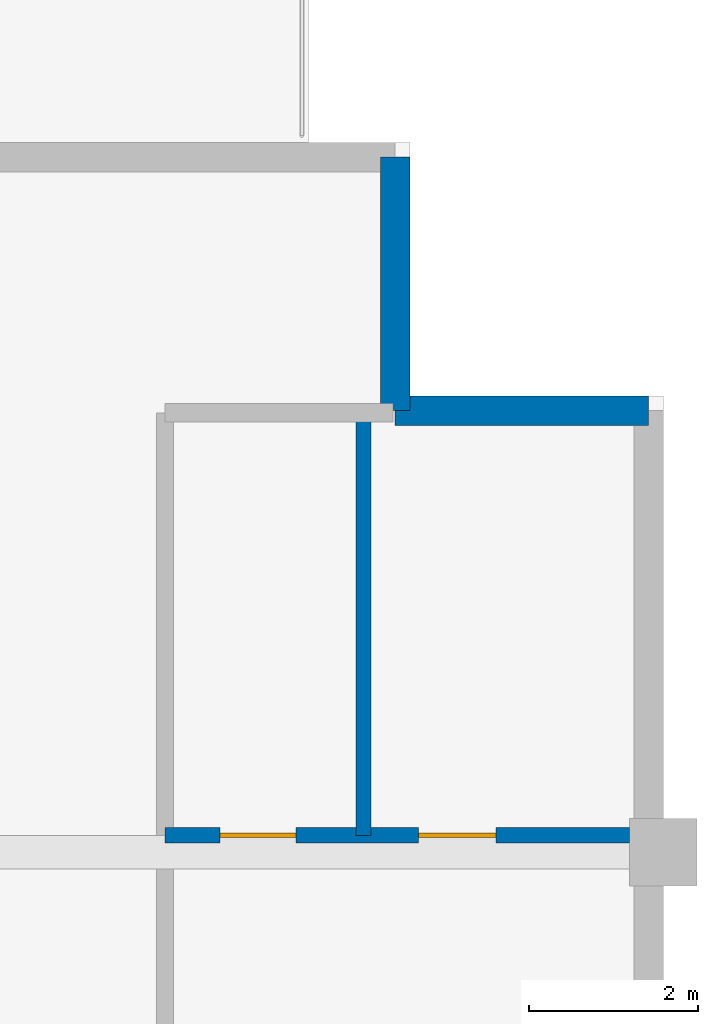
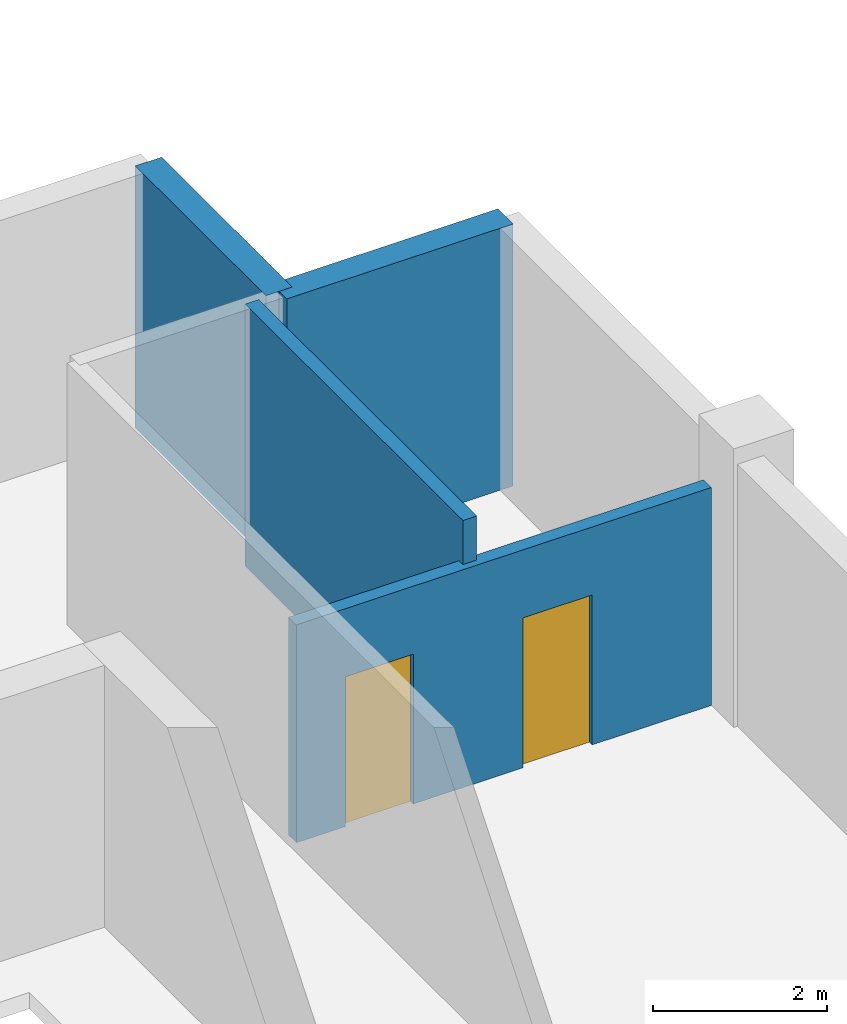
# One storey, part 5 of 11: 4 walls, 2 doors, 2 openings.
"""IFC4 building model written with IfcOpenShell, lengths in metres."""

from ifc_helpers import new_model, si_unit, direction, frame, frame_2d, origin, place, context, subcontext, project, spatial, rectangle, extrude, material, layer, layer_set, type_object, element, fill, save


model = new_model("IFC4")

# Units and contexts
model_context = context("Model", 3, precision=1e-05, world=origin(), true_north=direction((0.0, 1.0)))
body_context = subcontext(model_context, "Body", "Model", "MODEL_VIEW")
ifc_project = project(units=[si_unit("LENGTHUNIT", "METRE"), si_unit("AREAUNIT", "SQUARE_METRE"), si_unit("VOLUMEUNIT", "CUBIC_METRE"), si_unit("PLANEANGLEUNIT", "RADIAN"), si_unit("MASSUNIT", "GRAM", prefix="KILO")], contexts=[model_context])

# Site, building, storey
site_placement = place(None, origin())
site = spatial("IfcSite", under=ifc_project, at=site_placement, CompositionType="ELEMENT")
building_placement = place(site_placement, origin())
building = spatial("IfcBuilding", under=site, at=building_placement, Name="Koriwani Terraces Tower", CompositionType="ELEMENT")
storey_placement = place(building_placement, frame((0.0, 0.0, 343.699951171875)))
storey = spatial("IfcBuildingStorey", under=building, at=storey_placement, Name="L85", CompositionType="ELEMENT", Elevation=343.699951171875)

# Walls
ifc_material_1 = material(Name="Concrete C50/60", Category="concrete")
ifc_layer_1 = layer(ifc_material_1, 0.35009765625, Name="Concrete C50/60")
ifc_layer_set_1 = layer_set([ifc_layer_1], Name="Concrete C50/60")
wall_type_1 = type_object("IfcWallType", Name="WALL_EXT_BRUTALIST_350", PredefinedType="STANDARD", material=ifc_layer_set_1)
for number, where, z_axis, x_axis, name in (
    (1, (64.02490234375, 33.425048828125, 0.0), (0.0, 0.0, 1.0), (0.0, -1.0, 0.0), "L85 Fair-Faced Brutalist Exterior Wall (N10)"),
    (2, (64.02490234375, 30.425048828125, 0.0), (0.0, 0.0, 1.0), (1.0, 0.0, 0.0), "L85 Fair-Faced Brutalist Exterior Wall (N11)"),
):
    element("IfcWall", number, at=place(storey_placement, frame(where, z_axis=z_axis, x_axis=x_axis)), inside=storey, type_object=wall_type_1, Name=name, PredefinedType="STANDARD", context=body_context, shape_type="SweptSolid", body=[
        extrude(rectangle(XDim=3.0, YDim=0.35009765625, at=frame_2d((1.5, 0.0))), origin(), (0.0, 0.0, 1.0), 3.670166015625),
    ])

# Wall, openings, doors
ifc_material_2 = material(Name="Fire-Rated Acoustic Gypsum Partition", Category="masonry")
ifc_layer_2 = layer(ifc_material_2, 0.179931640625, Name="Fire-Rated Acoustic Gypsum Partition")
ifc_layer_set_2 = layer_set([ifc_layer_2], Name="Fire-Rated Acoustic Gypsum Partition")
wall_type_2 = type_object("IfcWallType", Name="WALL_PLUMBING_180", PredefinedType="PLUMBINGWALL", material=ifc_layer_set_2)
wall_1_placement = place(storey_placement, frame((61.300048828125, 25.39990234375, 0.0), z_axis=(0.0, 0.0, 1.0), x_axis=(1.0, 0.0, 0.0)))
wall_1 = element("IfcWall", 3, at=wall_1_placement, inside=storey, type_object=wall_type_2, Name="L85 Interior Wall WET-SVB-L85", PredefinedType="PLUMBINGWALL", context=body_context, shape_type="SweptSolid", body=[
    extrude(rectangle(XDim=5.5, YDim=0.179931640625, at=frame_2d((2.75, 0.0))), origin(), (0.0, 0.0, 1.0), 3.052978515625),
])
opening_1_placement = place(wall_1_placement, frame((0.64990234375, 0.0, 0.0)))
opening_1 = element("IfcOpeningElement", 4, at=opening_1_placement, cuts=wall_1, Name="Opening D-07", PredefinedType="OPENING", context=body_context, shape_type="SweptSolid", body=[
    extrude(rectangle(XDim=0.89990234375, YDim=2.10009765625, at=frame_2d((0.449951171875, 1.050048828125))), frame((0.0, 0.10009765625, 0.0), z_axis=(0.0, -1.0, 0.0), x_axis=(1.0, 0.0, 0.0)), (0.0, 0.0, 1.0), 0.199951171875),
])
opening_2_placement = place(wall_1_placement, frame((3.0, 0.0, 0.0)))
opening_2 = element("IfcOpeningElement", 5, at=opening_2_placement, cuts=wall_1, Name="Opening D-06", PredefinedType="OPENING", context=body_context, shape_type="SweptSolid", body=[
    extrude(rectangle(XDim=0.919921875, YDim=2.10009765625, at=frame_2d((0.4599609375, 1.050048828125))), frame((0.0, 0.10009765625, 0.0), z_axis=(0.0, -1.0, 0.0), x_axis=(1.0, 0.0, 0.0)), (0.0, 0.0, 1.0), 0.199951171875),
])
ifc_material_3 = material(Name="Architectural Oak Fire Door", Category="wood")
door_type_1 = type_object("IfcDoorType", Name="DOOR_BATH_INT_900X2100", OperationType="NOTDEFINED", PredefinedType="DOOR", material=ifc_material_3)
door_1_placement = place(opening_1_placement, origin())
door_1 = element("IfcDoor", 6, at=door_1_placement, inside=storey, type_object=door_type_1, Name="Apartment 85ET Bathroom Door", OperationType="SINGLE_SWING_RIGHT", OverallHeight=2.10009765625, OverallWidth=0.89990234375, PredefinedType="DOOR", context=body_context, shape_type="SweptSolid", body=[
    extrude(rectangle(XDim=0.89990234375, YDim=2.10009765625, at=frame_2d((0.449951171875, 1.050048828125))), frame((0.0, 0.02490234375, 0.0), z_axis=(0.0, -1.0, 0.0), x_axis=(1.0, 0.0, 0.0)), (0.0, 0.0, 1.0), 0.050048828125),
])
fill(opening_1, door_1)
door_type_2 = type_object("IfcDoorType", Name="DOOR_ROOM_INT_920X2100", OperationType="NOTDEFINED", PredefinedType="DOOR", material=ifc_material_3)
door_2_placement = place(opening_2_placement, origin())
door_2 = element("IfcDoor", 7, at=door_2_placement, inside=storey, type_object=door_type_2, Name="Apartment 85ET Kitchen Door", OperationType="SINGLE_SWING_LEFT", OverallHeight=2.10009765625, OverallWidth=0.919921875, PredefinedType="DOOR", context=body_context, shape_type="SweptSolid", body=[
    extrude(rectangle(XDim=0.919921875, YDim=2.10009765625, at=frame_2d((0.4599609375, 1.050048828125))), frame((0.0, 0.02490234375, 0.0), z_axis=(0.0, -1.0, 0.0), x_axis=(1.0, 0.0, 0.0)), (0.0, 0.0, 1.0), 0.050048828125),
])
fill(opening_2, door_2)

# Wall
wall_2_placement = place(storey_placement, frame((63.64990234375, 25.39990234375, 0.0), z_axis=(0.0, 0.0, 1.0), x_axis=(0.0, 1.0, 0.0)))
element("IfcWall", 8, at=wall_2_placement, inside=storey, type_object=wall_type_2, Name="L85 Interior Wall WET-SVCM-L85", PredefinedType="PLUMBINGWALL", context=body_context, shape_type="SweptSolid", body=[
    extrude(rectangle(XDim=5.0, YDim=0.179931640625, at=frame_2d((2.5, 0.0))), origin(), (0.0, 0.0, 1.0), 3.670166015625),
])

save(model, "model.ifc")
